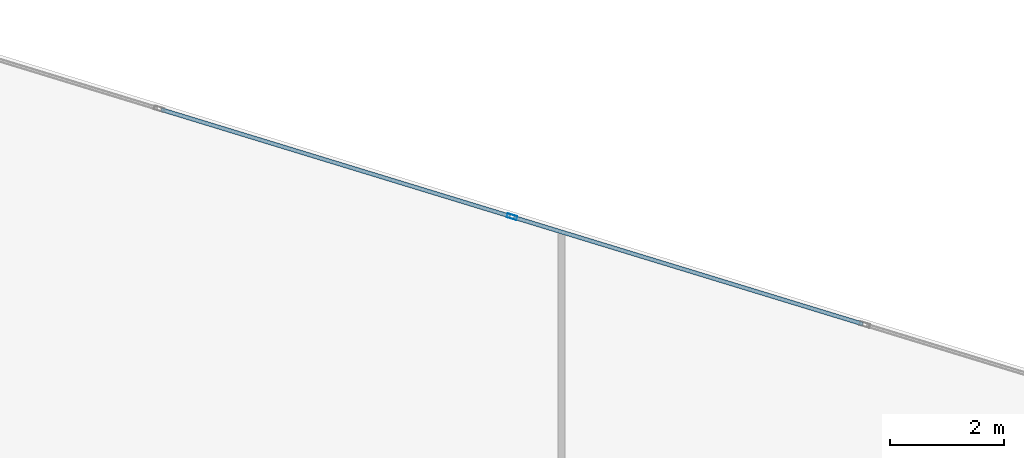
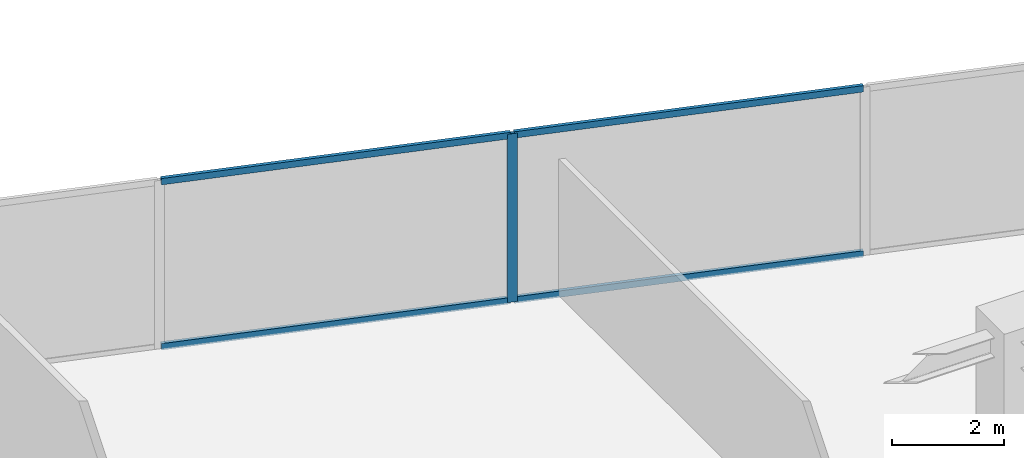
# One storey, part 17 of 26: 5 members, 1 element without a shape of its own.
"""IFC4 building model written with IfcOpenShell, lengths in metres."""

from ifc_helpers import new_model, si_unit, direction, frame, origin, origin_2d, place, context, subcontext, project, spatial, hollow_rectangle, extrude, source, transform, mapped, material, material_profile, profile_set, type_object, type_shapes, element, aggregate, save


model = new_model("IFC4")

# Units and contexts
model_context = context("Model", 3, precision=1e-05, world=origin(), true_north=direction((0.0, 1.0)))
body_context = subcontext(model_context, "Body", "Model", "MODEL_VIEW")
ifc_project = project(units=[si_unit("LENGTHUNIT", "METRE"), si_unit("AREAUNIT", "SQUARE_METRE"), si_unit("VOLUMEUNIT", "CUBIC_METRE"), si_unit("PLANEANGLEUNIT", "RADIAN"), si_unit("MASSUNIT", "GRAM", prefix="KILO")], contexts=[model_context])

# Site, building, storey
site_placement = place(None, origin())
site = spatial("IfcSite", under=ifc_project, at=site_placement, CompositionType="ELEMENT")
building_placement = place(site_placement, origin())
building = spatial("IfcBuilding", under=site, at=building_placement, Name="Krantzveldt Concourse Tower", CompositionType="ELEMENT")
storey_placement = place(building_placement, frame((0.0, 0.0, 109.800048828125)))
storey = spatial("IfcBuildingStorey", under=building, at=storey_placement, Name="L26", CompositionType="ELEMENT", Elevation=109.800048828125)

# Curtain wall, members
ifc_material = material(Name="Anodised aluminium 6063-T6", Category="aluminium")
curtain_wall_type = type_object("IfcCurtainWallType", Name="CW2", PredefinedType="USERDEFINED", material=ifc_material)
curtain_wall_placement = place(storey_placement, origin())
curtain_wall = element("IfcCurtainWall", 1, at=curtain_wall_placement, inside=storey, type_object=curtain_wall_type, Name="CW-L26-F10", ObjectType="UNITISED CURTAIN WALL", PredefinedType="USERDEFINED")
ifc_material_profile_1 = material_profile(ifc_material, hollow_rectangle(XDim=0.070068359375, YDim=0.179931640625, WallThickness=0.0048828125, at=origin_2d()), Name="Anodised aluminium 6063-T6", Category="aluminium")
ifc_profile_set_1 = profile_set([ifc_material_profile_1], Name="Anodised aluminium 6063-T6 - ALU-MULL 180x70x5")
member_type_1 = type_object("IfcMemberType", Name="CW-MUL-180", PredefinedType="MULLION", material=ifc_profile_set_1)
shared_shape_1 = source(origin(), body_context, "Body", "SweptSolid", [
    extrude(hollow_rectangle(XDim=0.070068359375, YDim=0.179931640625, WallThickness=0.0048828125, at=origin_2d()), origin(), (0.0, 0.0, 1.0), 3.669921875),
])
type_shapes(member_type_1, [shared_shape_1])
member_1_placement = place(storey_placement, frame((36.631103515625, 50.882080078125, 0.0), z_axis=(0.0, 0.0, 1.0), x_axis=(-0.292371686864, -0.956304761423, 0.0)))
member_1 = element("IfcMember", 2, at=member_1_placement, type_object=member_type_1, Name="CW-Z12 mullion 5", PredefinedType="MULLION", context=body_context, shape_type="MappedRepresentation", body=[
    mapped(shared_shape_1, transform((0.0, 0.0, 0.0), x_axis=(1.0, 0.0, 0.0), y_axis=(0.0, 1.0, 0.0), z_axis=(0.0, 0.0, 1.0), scale=1.0)),
])
ifc_material_profile_2 = material_profile(ifc_material, hollow_rectangle(XDim=0.070068359375, YDim=0.139892578125, WallThickness=0.0048828125, at=origin_2d()), Name="Anodised aluminium 6063-T6", Category="aluminium")
ifc_profile_set_2 = profile_set([ifc_material_profile_2], Name="Anodised aluminium 6063-T6 - ALU-TRAN 140x70x5")
member_type_2 = type_object("IfcMemberType", Name="CW-TRN-150", PredefinedType="USERDEFINED", material=ifc_profile_set_2)
shared_shape_2 = source(origin(), body_context, "Body", "SweptSolid", [
    extrude(hollow_rectangle(XDim=0.070068359375, YDim=0.139892578125, WallThickness=0.0048828125, at=origin_2d()), origin(), (0.0, 0.0, 1.0), 6.396728515625),
])
type_shapes(member_type_2, [shared_shape_2])
member_2_placement = place(storey_placement, frame((42.78173828125, 49.001708984375, 0.034912109375), z_axis=(-0.956308895855, 0.292358163404, 0.0), x_axis=(-0.292358163404, -0.956308895855, 0.0)))
member_2 = element("IfcMember", 3, at=member_2_placement, type_object=member_type_2, Name="CW-Z12 transom 4.1", ObjectType="TRANSOM", PredefinedType="USERDEFINED", context=body_context, shape_type="MappedRepresentation", body=[
    mapped(shared_shape_2, transform((0.0, 0.0, 0.0), x_axis=(1.0, 0.0, 0.0), y_axis=(0.0, 1.0, 0.0), z_axis=(0.0, 0.0, 1.0), scale=1.0)),
])
member_3_placement = place(storey_placement, frame((42.78173828125, 49.001708984375, 3.635009765625), z_axis=(-0.956308895855, 0.292358163404, 0.0), x_axis=(-0.292358163404, -0.956308895855, 0.0)))
member_3 = element("IfcMember", 4, at=member_3_placement, type_object=member_type_2, Name="CW-Z12 transom 4.2", ObjectType="TRANSOM", PredefinedType="USERDEFINED", context=body_context, shape_type="MappedRepresentation", body=[
    mapped(shared_shape_2, transform((0.0, 0.0, 0.0), x_axis=(1.0, 0.0, 0.0), y_axis=(0.0, 1.0, 0.0), z_axis=(0.0, 0.0, 1.0), scale=1.0)),
])
member_4_placement = place(storey_placement, frame((36.59765625, 50.892333984375, 0.034912109375), z_axis=(-0.956308895855, 0.292358163404, 0.0), x_axis=(-0.292358163404, -0.956308895855, 0.0)))
member_4 = element("IfcMember", 5, at=member_4_placement, type_object=member_type_2, Name="CW-Z12 transom 5.1", ObjectType="TRANSOM", PredefinedType="USERDEFINED", context=body_context, shape_type="MappedRepresentation", body=[
    mapped(shared_shape_2, transform((0.0, 0.0, 0.0), x_axis=(1.0, 0.0, 0.0), y_axis=(0.0, 1.0, 0.0), z_axis=(0.0, 0.0, 1.0), scale=1.0)),
])
member_5_placement = place(storey_placement, frame((36.59765625, 50.892333984375, 3.635009765625), z_axis=(-0.956308895855, 0.292358163404, 0.0), x_axis=(-0.292358163404, -0.956308895855, 0.0)))
member_5 = element("IfcMember", 6, at=member_5_placement, type_object=member_type_2, Name="CW-Z12 transom 5.2", ObjectType="TRANSOM", PredefinedType="USERDEFINED", context=body_context, shape_type="MappedRepresentation", body=[
    mapped(shared_shape_2, transform((0.0, 0.0, 0.0), x_axis=(1.0, 0.0, 0.0), y_axis=(0.0, 1.0, 0.0), z_axis=(0.0, 0.0, 1.0), scale=1.0)),
])
aggregate(curtain_wall, [member_1, member_2, member_3, member_4, member_5])

save(model, "model.ifc")
